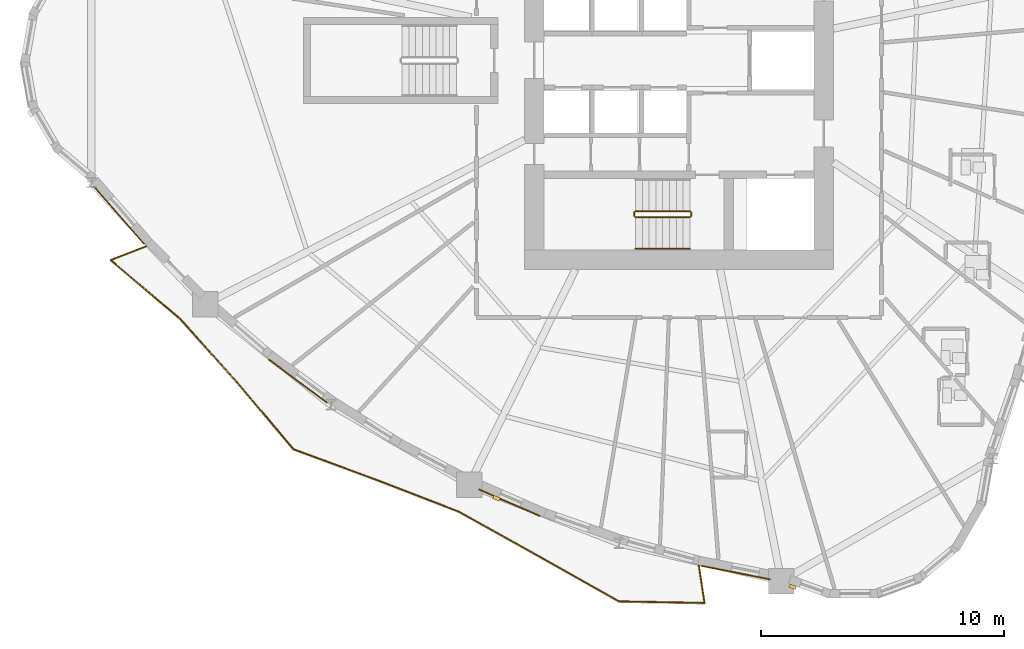
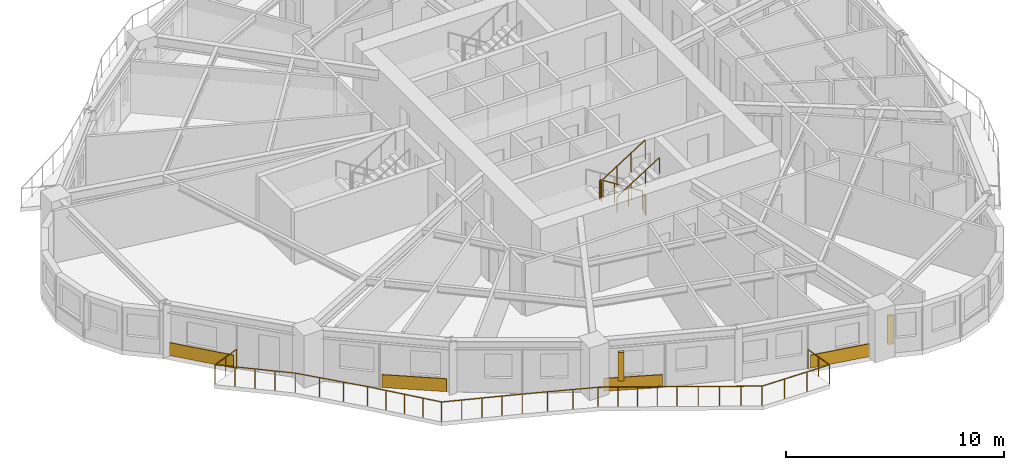
# One storey, part 10 of 13: 6 railings, 4 coverings, 2 shading devices.
"""IFC4 building model written with IfcOpenShell, lengths in metres."""

from ifc_helpers import new_model, si_unit, direction, frame, origin, origin_2d, place, context, subcontext, project, spatial, rectangle, circle, extrude, source, transform, mapped, material, layer, layer_set, type_object, element, save


model = new_model("IFC4")

# Units and contexts
model_context = context("Model", 3, precision=1e-05, world=origin(), true_north=direction((0.0, 1.0)))
body_context = subcontext(model_context, "Body", "Model", "MODEL_VIEW")
ifc_project = project(units=[si_unit("LENGTHUNIT", "METRE"), si_unit("AREAUNIT", "SQUARE_METRE"), si_unit("VOLUMEUNIT", "CUBIC_METRE"), si_unit("PLANEANGLEUNIT", "RADIAN"), si_unit("MASSUNIT", "GRAM", prefix="KILO")], contexts=[model_context])

# Site, building, storey
site_placement = place(None, origin())
site = spatial("IfcSite", under=ifc_project, at=site_placement, CompositionType="ELEMENT")
building_placement = place(site_placement, origin())
building = spatial("IfcBuilding", under=site, at=building_placement, Name="Qafzar Sky-Pleat Residences", CompositionType="ELEMENT")
storey_placement = place(building_placement, frame((0.0, 0.0, 55.800048828125)))
storey = spatial("IfcBuildingStorey", under=building, at=storey_placement, Name="L16", CompositionType="ELEMENT", Elevation=55.800048828125)

# Shading devices
ifc_material_1 = material(Name="Honed Riyadh limestone solar fin", Category="masonry")
ifc_layer_1 = layer(ifc_material_1, 0.139892578125)
ifc_layer_set_1 = layer_set([ifc_layer_1], Name="Honed Riyadh limestone solar fin")
shading_device_type = type_object("IfcShadingDeviceType", Name="SHD-FIN-STONE", PredefinedType="SHUTTER", material=ifc_layer_set_1)
shared_shape_1 = source(origin(), body_context, "Body", "SweptSolid", [
    extrude(rectangle(XDim=0.139892578125, YDim=0.280029296875, at=origin_2d()), origin(), (0.0, 0.0, 1.0), 1.60009765625),
])
for number, where, z_axis, x_axis, name in (
    (1, (22.841064453125, 7.992919921875, 0.599853515625), (0.0, 0.0, 1.0), (-0.398680668502, -0.917089812703, 0.0), "L16 Limestone Solar Fin 13"),
    (2, (35.025390625, 4.349853515625, 0.599853515625), (0.0, 0.0, 1.0), (-0.342010122116, -0.939696268148, 0.0), "L16 Limestone Solar Fin 17"),
):
    element("IfcShadingDevice", number, at=place(storey_placement, frame(where, z_axis=z_axis, x_axis=x_axis)), inside=storey, type_object=shading_device_type, Name=name, PredefinedType="SHUTTER", context=body_context, shape_type="MappedRepresentation", body=[
        mapped(shared_shape_1, transform((0.0, 0.0, 0.0), x_axis=(1.0, 0.0, 0.0), y_axis=(0.0, 1.0, 0.0), z_axis=(0.0, 0.0, 1.0), scale=1.0)),
    ])

# Railing
ifc_material_2 = material(Name="Laminated glass and bronze steel balustrade", Category="steel")
railing_type_1 = type_object("IfcRailingType", Name="RAIL-BAL-1100", PredefinedType="BALUSTRADE", material=ifc_material_2)
shared_shape_2 = source(origin(), body_context, "Body", "SweptSolid", [
    extrude(circle(Radius=0.02392578125, at=origin_2d()), frame((0.0, 0.0, 1.076171875), z_axis=(-0.931486844159, -0.36377501173, 0.0), x_axis=(0.36377501173, -0.931486844159, 0.0)), (0.0, 0.0, 1.0), 1.577880859375),
    extrude(circle(Radius=0.02392578125, at=origin_2d()), frame((-1.4697265625, -0.573974609375, 1.076171875), z_axis=(0.763477851211, -0.645834011733, 0.0), x_axis=(0.645834011733, 0.763477851211, 0.0)), (0.0, 0.0, 1.0), 3.74169921875),
    extrude(circle(Radius=0.02392578125, at=origin_2d()), frame((1.386962890625, -2.990478515625, 1.076171875), z_axis=(0.66855898606, -0.743659116907, 0.0), x_axis=(0.743659116907, 0.66855898606, 0.0)), (0.0, 0.0, 1.0), 3.491455078125),
    extrude(circle(Radius=0.02392578125, at=origin_2d()), frame((3.72119140625, -5.5869140625, 1.076171875), z_axis=(0.643786707783, -0.765204988798, 0.0), x_axis=(0.765204988798, 0.643786707783, 0.0)), (0.0, 0.0, 1.0), 3.619384765625),
    extrude(circle(Radius=0.02392578125, at=origin_2d()), frame((6.05126953125, -8.3564453125, 1.076171875), z_axis=(0.938365316755, -0.345645095889, 0.0), x_axis=(0.345645095889, 0.938365316755, 0.0)), (0.0, 0.0, 1.0), 3.7548828125),
    extrude(circle(Radius=0.02392578125, at=origin_2d()), frame((9.57470703125, -9.654296875, 1.076171875), z_axis=(0.932655934643, -0.360767109886, 0.0), x_axis=(0.360767109886, 0.932655934643, 0.0)), (0.0, 0.0, 1.0), 3.530517578125),
    extrude(circle(Radius=0.02392578125, at=origin_2d()), frame((12.867431640625, -10.927978515625, 1.076171875), z_axis=(0.873161609414, -0.487430819548, 0.0), x_axis=(0.487430819548, 0.873161609414, 0.0)), (0.0, 0.0, 1.0), 3.615234375),
    extrude(circle(Radius=0.02392578125, at=origin_2d()), frame((16.024169921875, -12.690185546875, 1.076171875), z_axis=(0.870966832131, -0.491341813127, 0.0), x_axis=(0.491341813127, 0.870966832131, 0.0)), (0.0, 0.0, 1.0), 3.9140625),
    extrude(circle(Radius=0.02392578125, at=origin_2d()), frame((19.43310546875, -14.61328125, 1.076171875), z_axis=(0.999826768842, -0.018612692098, 0.0), x_axis=(0.018612692098, 0.999826768842, 0.0)), (0.0, 0.0, 1.0), 3.528564453125),
    extrude(circle(Radius=0.02392578125, at=origin_2d()), frame((22.9609375, -14.678955078125, 1.076171875), z_axis=(-0.150708286598, 0.988578278312, 0.0), x_axis=(-0.988578278312, -0.150708286598, 0.0)), (0.0, 0.0, 1.0), 1.577880859375),
    extrude(circle(Radius=0.02099609375, at=origin_2d()), origin(), (0.0, 0.0, 1.0), 1.052001953125),
    extrude(circle(Radius=0.02099609375, at=origin_2d()), frame((-0.73486328125, -0.287109375, 0.0)), (0.0, 0.0, 1.0), 1.052001953125),
    extrude(circle(Radius=0.02099609375, at=origin_2d()), frame((-1.4697265625, -0.573974609375, 0.0)), (0.0, 0.0, 1.0), 1.052001953125),
    extrude(circle(Radius=0.02099609375, at=origin_2d()), frame((-0.755615234375, -1.17822265625, 0.0)), (0.0, 0.0, 1.0), 1.052001953125),
    extrude(circle(Radius=0.02099609375, at=origin_2d()), frame((-0.04150390625, -1.7822265625, 0.0)), (0.0, 0.0, 1.0), 1.052001953125),
    extrude(circle(Radius=0.02099609375, at=origin_2d()), frame((0.6728515625, -2.38623046875, 0.0)), (0.0, 0.0, 1.0), 1.052001953125),
    extrude(circle(Radius=0.02099609375, at=origin_2d()), frame((1.386962890625, -2.990478515625, 0.0)), (0.0, 0.0, 1.0), 1.052001953125),
    extrude(circle(Radius=0.02099609375, at=origin_2d()), frame((2.1650390625, -3.85595703125, 0.0)), (0.0, 0.0, 1.0), 1.052001953125),
    extrude(circle(Radius=0.02099609375, at=origin_2d()), frame((2.943115234375, -4.721435546875, 0.0)), (0.0, 0.0, 1.0), 1.052001953125),
    extrude(circle(Radius=0.02099609375, at=origin_2d()), frame((3.72119140625, -5.5869140625, 0.0)), (0.0, 0.0, 1.0), 1.052001953125),
    extrude(circle(Radius=0.02099609375, at=origin_2d()), frame((4.3037109375, -6.279296875, 0.0)), (0.0, 0.0, 1.0), 1.052001953125),
    extrude(circle(Radius=0.02099609375, at=origin_2d()), frame((4.88623046875, -6.9716796875, 0.0)), (0.0, 0.0, 1.0), 1.052001953125),
    extrude(circle(Radius=0.02099609375, at=origin_2d()), frame((5.46875, -7.6640625, 0.0)), (0.0, 0.0, 1.0), 1.052001953125),
    extrude(circle(Radius=0.02099609375, at=origin_2d()), frame((6.05126953125, -8.3564453125, 0.0)), (0.0, 0.0, 1.0), 1.052001953125),
    extrude(circle(Radius=0.02099609375, at=origin_2d()), frame((6.93212890625, -8.680908203125, 0.0)), (0.0, 0.0, 1.0), 1.052001953125),
    extrude(circle(Radius=0.02099609375, at=origin_2d()), frame((7.81298828125, -9.00537109375, 0.0)), (0.0, 0.0, 1.0), 1.052001953125),
    extrude(circle(Radius=0.02099609375, at=origin_2d()), frame((8.69384765625, -9.329833984375, 0.0)), (0.0, 0.0, 1.0), 1.052001953125),
    extrude(circle(Radius=0.02099609375, at=origin_2d()), frame((9.57470703125, -9.654296875, 0.0)), (0.0, 0.0, 1.0), 1.052001953125),
    extrude(circle(Radius=0.02099609375, at=origin_2d()), frame((10.67236328125, -10.078857421875, 0.0)), (0.0, 0.0, 1.0), 1.052001953125),
    extrude(circle(Radius=0.02099609375, at=origin_2d()), frame((11.769775390625, -10.50341796875, 0.0)), (0.0, 0.0, 1.0), 1.052001953125),
    extrude(circle(Radius=0.02099609375, at=origin_2d()), frame((12.867431640625, -10.927978515625, 0.0)), (0.0, 0.0, 1.0), 1.052001953125),
    extrude(circle(Radius=0.02099609375, at=origin_2d()), frame((13.65673828125, -11.36865234375, 0.0)), (0.0, 0.0, 1.0), 1.052001953125),
    extrude(circle(Radius=0.02099609375, at=origin_2d()), frame((14.44580078125, -11.80908203125, 0.0)), (0.0, 0.0, 1.0), 1.052001953125),
    extrude(circle(Radius=0.02099609375, at=origin_2d()), frame((15.23486328125, -12.24951171875, 0.0)), (0.0, 0.0, 1.0), 1.052001953125),
    extrude(circle(Radius=0.02099609375, at=origin_2d()), frame((16.024169921875, -12.690185546875, 0.0)), (0.0, 0.0, 1.0), 1.052001953125),
    extrude(circle(Radius=0.02099609375, at=origin_2d()), frame((16.87646484375, -13.1708984375, 0.0)), (0.0, 0.0, 1.0), 1.052001953125),
    extrude(circle(Radius=0.02099609375, at=origin_2d()), frame((17.728515625, -13.65185546875, 0.0)), (0.0, 0.0, 1.0), 1.052001953125),
    extrude(circle(Radius=0.02099609375, at=origin_2d()), frame((18.580810546875, -14.132568359375, 0.0)), (0.0, 0.0, 1.0), 1.052001953125),
    extrude(circle(Radius=0.02099609375, at=origin_2d()), frame((19.43310546875, -14.61328125, 0.0)), (0.0, 0.0, 1.0), 1.052001953125),
    extrude(circle(Radius=0.02099609375, at=origin_2d()), frame((20.609130859375, -14.63525390625, 0.0)), (0.0, 0.0, 1.0), 1.052001953125),
    extrude(circle(Radius=0.02099609375, at=origin_2d()), frame((21.784912109375, -14.656982421875, 0.0)), (0.0, 0.0, 1.0), 1.052001953125),
    extrude(circle(Radius=0.02099609375, at=origin_2d()), frame((22.9609375, -14.678955078125, 0.0)), (0.0, 0.0, 1.0), 1.052001953125),
    extrude(circle(Radius=0.02099609375, at=origin_2d()), frame((22.842041015625, -13.89892578125, 0.0)), (0.0, 0.0, 1.0), 1.052001953125),
    extrude(circle(Radius=0.02099609375, at=origin_2d()), frame((22.72314453125, -13.119140625, 0.0)), (0.0, 0.0, 1.0), 1.052001953125),
])
railing_1_placement = place(storey_placement, frame((8.44189453125, 18.36279296875, 0.0)))
element("IfcRailing", 3, at=railing_1_placement, inside=storey, type_object=railing_type_1, Name="L16 Pleated Balcony 3 Balustrade", PredefinedType="BALUSTRADE", context=body_context, shape_type="MappedRepresentation", body=[
    mapped(shared_shape_2, transform((0.0, 0.0, 0.0), x_axis=(1.0, 0.0, 0.0), y_axis=(0.0, 1.0, 0.0), z_axis=(0.0, 0.0, 1.0), scale=1.0)),
])

# Coverings
ifc_material_3 = material(Name="Honed Riyadh Tuwaiq limestone cladding", Category="masonry")
ifc_layer_2 = layer(ifc_material_3, 0.044921875)
ifc_layer_set_2 = layer_set([ifc_layer_2], Name="Honed Riyadh Tuwaiq limestone cladding")
covering_type = type_object("IfcCoveringType", Name="COV-CLAD-STONE", PredefinedType="CLADDING", material=ifc_layer_set_2)
shared_shape_3 = source(origin(), body_context, "Body", "SweptSolid", [
    extrude(rectangle(XDim=3.134033203125, YDim=0.044921875, at=origin_2d()), origin(), (0.0, 0.0, 1.0), 0.719970703125),
])
covering_1_placement = place(storey_placement, frame((7.316650390625, 19.635986328125, 0.02001953125), z_axis=(0.0, 0.0, 1.0), x_axis=(0.65761367339, -0.753355332211, 0.0)))
element("IfcCovering", 4, at=covering_1_placement, inside=storey, type_object=covering_type, Name="L16 Riyadh Limestone Spandrel Cladding 7", PredefinedType="CLADDING", context=body_context, shape_type="MappedRepresentation", body=[
    mapped(shared_shape_3, transform((0.0, 0.0, 0.0), x_axis=(1.0, 0.0, 0.0), y_axis=(0.0, 1.0, 0.0), z_axis=(0.0, 0.0, 1.0), scale=1.0)),
])
shared_shape_4 = source(origin(), body_context, "Body", "SweptSolid", [
    extrude(rectangle(XDim=2.9853515625, YDim=0.044921875, at=origin_2d()), origin(), (0.0, 0.0, 1.0), 0.719970703125),
])
covering_2_placement = place(storey_placement, frame((14.673095703125, 12.813232421875, 0.02001953125), z_axis=(0.0, 0.0, 1.0), x_axis=(0.803807590053, -0.594889366331, 0.0)))
element("IfcCovering", 5, at=covering_2_placement, inside=storey, type_object=covering_type, Name="L16 Riyadh Limestone Spandrel Cladding 10", PredefinedType="CLADDING", context=body_context, shape_type="MappedRepresentation", body=[
    mapped(shared_shape_4, transform((0.0, 0.0, 0.0), x_axis=(1.0, 0.0, 0.0), y_axis=(0.0, 1.0, 0.0), z_axis=(0.0, 0.0, 1.0), scale=1.0)),
])
shared_shape_5 = source(origin(), body_context, "Body", "SweptSolid", [
    extrude(rectangle(XDim=2.7333984375, YDim=0.044921875, at=origin_2d()), origin(), (0.0, 0.0, 1.0), 0.719970703125),
])
covering_3_placement = place(storey_placement, frame((23.371826171875, 7.80908203125, 0.02001953125), z_axis=(0.0, 0.0, 1.0), x_axis=(0.917082095474, -0.398698420064, 0.0)))
element("IfcCovering", 6, at=covering_3_placement, inside=storey, type_object=covering_type, Name="L16 Riyadh Limestone Spandrel Cladding 13", PredefinedType="CLADDING", context=body_context, shape_type="MappedRepresentation", body=[
    mapped(shared_shape_5, transform((0.0, 0.0, 0.0), x_axis=(1.0, 0.0, 0.0), y_axis=(0.0, 1.0, 0.0), z_axis=(0.0, 0.0, 1.0), scale=1.0)),
])
shared_shape_6 = source(origin(), body_context, "Body", "SweptSolid", [
    extrude(rectangle(XDim=2.882080078125, YDim=0.044921875, at=origin_2d()), origin(), (0.0, 0.0, 1.0), 0.719970703125),
])
covering_4_placement = place(storey_placement, frame((32.69287109375, 4.9326171875, 0.02001953125), z_axis=(0.0, 0.0, 1.0), x_axis=(0.981232153212, -0.192830136397, 0.0)))
element("IfcCovering", 7, at=covering_4_placement, inside=storey, type_object=covering_type, Name="L16 Riyadh Limestone Spandrel Cladding 16", PredefinedType="CLADDING", context=body_context, shape_type="MappedRepresentation", body=[
    mapped(shared_shape_6, transform((0.0, 0.0, 0.0), x_axis=(1.0, 0.0, 0.0), y_axis=(0.0, 1.0, 0.0), z_axis=(0.0, 0.0, 1.0), scale=1.0)),
])

# Railings
ifc_material_4 = material(Name="Painted Steel S355 stair guardrail", Category="steel")
railing_type_2 = type_object("IfcRailingType", Name="RAIL-STAIR-GUARD", PredefinedType="GUARDRAIL", material=ifc_material_4)
shared_shape_7 = source(origin(), body_context, "Body", "SweptSolid", [
    extrude(circle(Radius=0.02392578125, at=origin_2d()), frame((0.0, 0.0, 1.076171875), z_axis=(0.0, -1.0, 0.0), x_axis=(1.0, 0.0, 0.0)), (0.0, 0.0, 1.0), 0.14990234375),
    extrude(circle(Radius=0.02099609375, at=origin_2d()), origin(), (0.0, 0.0, 1.0), 1.052001953125),
    extrude(circle(Radius=0.02099609375, at=origin_2d()), frame((0.0, -0.14990234375, 0.0)), (0.0, 0.0, 1.0), 1.052001953125),
])
for number, where, name in (
    (8, (28.510009765625, 19.75, 1.599853515625), "L16 ST1 stair guard 2"),
    (9, (30.85009765625, 19.75, 0.0), "L16 ST1 stair guard 4"),
):
    element("IfcRailing", number, at=place(storey_placement, frame(where)), inside=storey, type_object=railing_type_2, Name=name, PredefinedType="GUARDRAIL", context=body_context, shape_type="MappedRepresentation", body=[
        mapped(shared_shape_7, transform((0.0, 0.0, 0.0), x_axis=(1.0, 0.0, 0.0), y_axis=(0.0, 1.0, 0.0), z_axis=(0.0, 0.0, 1.0), scale=1.0)),
    ])
shared_shape_8 = source(origin(), body_context, "Body", "SweptSolid", [
    extrude(circle(Radius=0.02392578125, at=origin_2d()), frame((0.0, 0.0, 1.076171875), z_axis=(-0.8442293374, 0.0, 0.53598211339), x_axis=(0.0, -1.0, 0.0)), (0.0, 0.0, 1.0), 2.6533203125),
    extrude(circle(Radius=0.02099609375, at=origin_2d()), origin(), (0.0, 0.0, 1.0), 1.052001953125),
    extrude(circle(Radius=0.02099609375, at=origin_2d()), frame((-0.74658203125, 0.0, 0.47412109375)), (0.0, 0.0, 1.0), 1.052001953125),
    extrude(circle(Radius=0.02099609375, at=origin_2d()), frame((-1.493408203125, 0.0, 0.947998046875)), (0.0, 0.0, 1.0), 1.052001953125),
    extrude(circle(Radius=0.02099609375, at=origin_2d()), frame((-2.239990234375, 0.0, 1.422119140625)), (0.0, 0.0, 1.0), 1.052001953125),
])
railing_2_placement = place(storey_placement, frame((30.800048828125, 19.800048828125, 0.177734375)))
element("IfcRailing", 10, at=railing_2_placement, inside=storey, type_object=railing_type_2, Name="L16 ST1 stair guard 1", PredefinedType="GUARDRAIL", context=body_context, shape_type="MappedRepresentation", body=[
    mapped(shared_shape_8, transform((0.0, 0.0, 0.0), x_axis=(1.0, 0.0, 0.0), y_axis=(0.0, 1.0, 0.0), z_axis=(0.0, 0.0, 1.0), scale=1.0)),
])
shared_shape_9 = source(origin(), body_context, "Body", "SweptSolid", [
    extrude(circle(Radius=0.02392578125, at=origin_2d()), frame((0.0, 0.0, 1.076171875), z_axis=(0.8442293374, 0.0, 0.53598211339), x_axis=(0.0, 1.0, 0.0)), (0.0, 0.0, 1.0), 2.6533203125),
    extrude(circle(Radius=0.02099609375, at=origin_2d()), origin(), (0.0, 0.0, 1.0), 1.052001953125),
    extrude(circle(Radius=0.02099609375, at=origin_2d()), frame((0.74658203125, 0.0, 0.47412109375)), (0.0, 0.0, 1.0), 1.052001953125),
    extrude(circle(Radius=0.02099609375, at=origin_2d()), frame((1.493408203125, 0.0, 0.947998046875)), (0.0, 0.0, 1.0), 1.052001953125),
    extrude(circle(Radius=0.02099609375, at=origin_2d()), frame((2.239990234375, 0.0, 1.422119140625)), (0.0, 0.0, 1.0), 1.052001953125),
])
railing_3_placement = place(storey_placement, frame((28.56005859375, 19.550048828125, 1.77783203125)))
element("IfcRailing", 11, at=railing_3_placement, inside=storey, type_object=railing_type_2, Name="L16 ST1 stair guard 3", PredefinedType="GUARDRAIL", context=body_context, shape_type="MappedRepresentation", body=[
    mapped(shared_shape_9, transform((0.0, 0.0, 0.0), x_axis=(1.0, 0.0, 0.0), y_axis=(0.0, 1.0, 0.0), z_axis=(0.0, 0.0, 1.0), scale=1.0)),
])
ifc_material_5 = material(Name="Brushed stainless steel handrail", Category="steel")
railing_type_3 = type_object("IfcRailingType", Name="RAIL-STAIR-HAND", PredefinedType="HANDRAIL", material=ifc_material_5)
shared_shape_10 = source(origin(), body_context, "Body", "SweptSolid", [
    extrude(circle(Radius=0.02392578125, at=origin_2d()), frame((0.0, 0.0, 0.8759765625), z_axis=(0.8442293374, 0.0, 0.53598211339), x_axis=(0.0, 1.0, 0.0)), (0.0, 0.0, 1.0), 2.6533203125),
    extrude(circle(Radius=0.02099609375, at=origin_2d()), origin(), (0.0, 0.0, 1.0), 0.851806640625),
    extrude(circle(Radius=0.02099609375, at=origin_2d()), frame((0.74658203125, 0.0, 0.47412109375)), (0.0, 0.0, 1.0), 0.851806640625),
    extrude(circle(Radius=0.02099609375, at=origin_2d()), frame((1.493408203125, 0.0, 0.947998046875)), (0.0, 0.0, 1.0), 0.851806640625),
    extrude(circle(Radius=0.02099609375, at=origin_2d()), frame((2.239990234375, 0.0, 1.422119140625)), (0.0, 0.0, 1.0), 0.851806640625),
])
railing_4_placement = place(storey_placement, frame((28.56005859375, 18.25, 1.77783203125)))
element("IfcRailing", 12, at=railing_4_placement, inside=storey, type_object=railing_type_3, Name="L16 ST1 stair handrail 2", PredefinedType="HANDRAIL", context=body_context, shape_type="MappedRepresentation", body=[
    mapped(shared_shape_10, transform((0.0, 0.0, 0.0), x_axis=(1.0, 0.0, 0.0), y_axis=(0.0, 1.0, 0.0), z_axis=(0.0, 0.0, 1.0), scale=1.0)),
])

save(model, "model.ifc")
